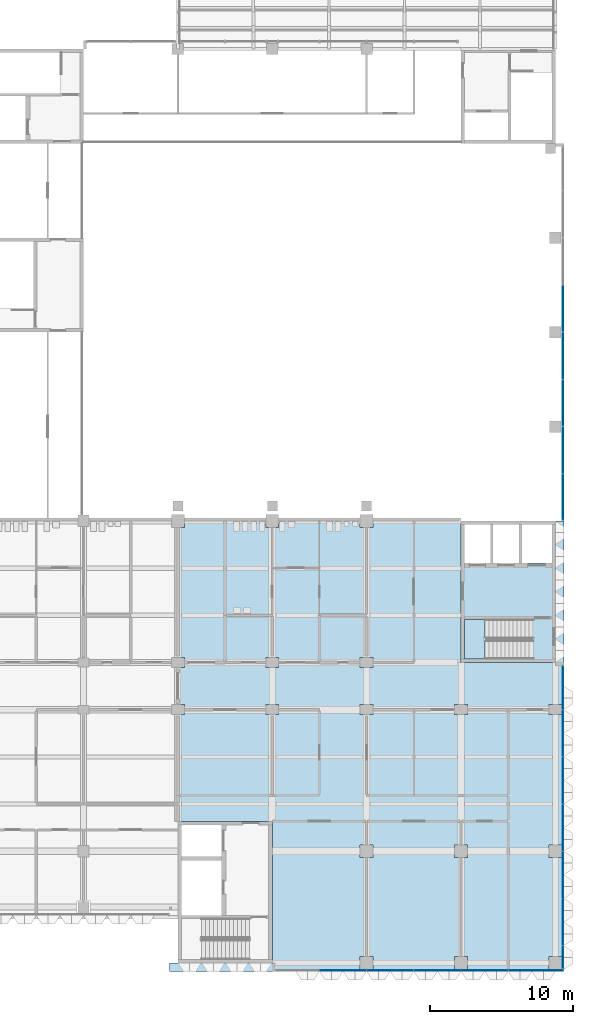
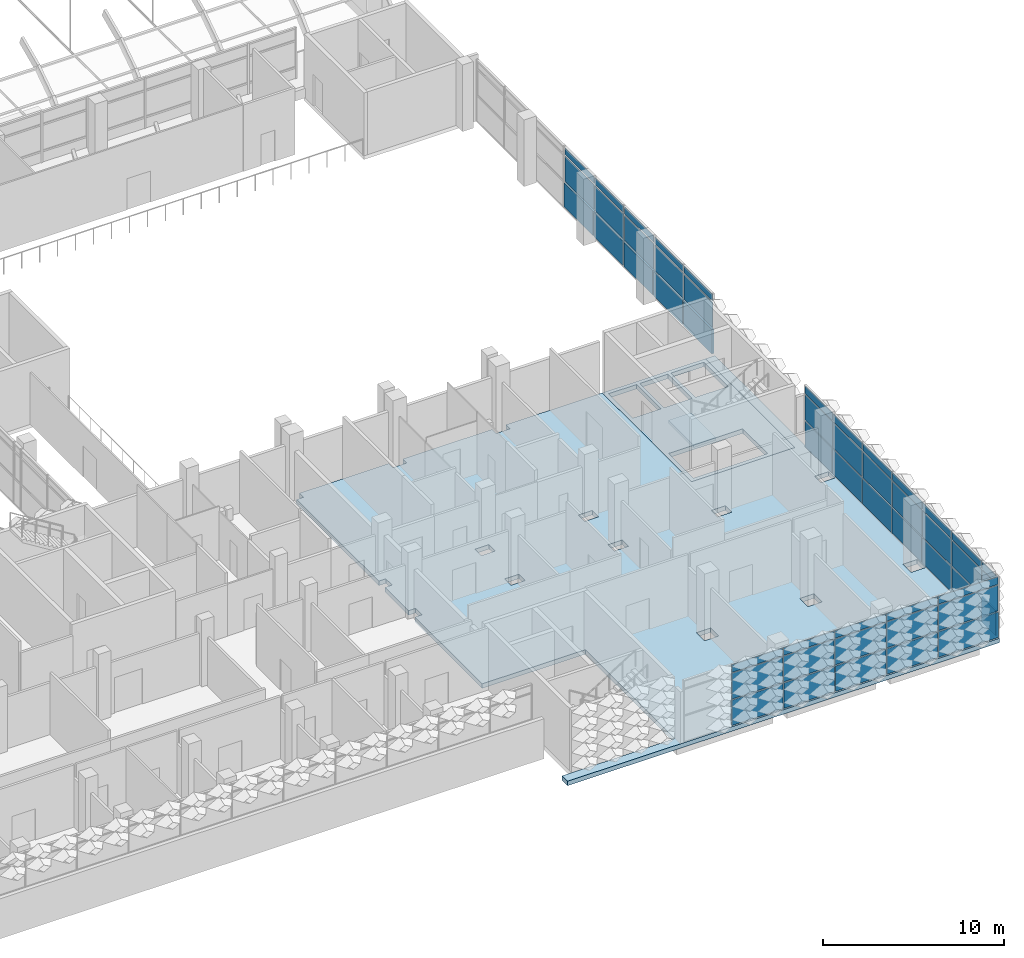
# One storey, part 36 of 102: 51 plates, 3 slabs, 4 elements without a shape of their own.
"""IFC4 building model written with IfcOpenShell, lengths in metres."""

from ifc_helpers import new_model, si_unit, direction, frame, origin, origin_2d, place, context, subcontext, project, spatial, polyline, rectangle, outline, extrude, material, layer, layer_set, type_object, element, aggregate, save


model = new_model("IFC4")

# Units and contexts
model_context = context("Model", 3, precision=1e-05, world=origin(), true_north=direction((0.0, 1.0)))
body_context = subcontext(model_context, "Body", "Model", "MODEL_VIEW")
ifc_project = project(units=[si_unit("LENGTHUNIT", "METRE"), si_unit("AREAUNIT", "SQUARE_METRE"), si_unit("VOLUMEUNIT", "CUBIC_METRE"), si_unit("PLANEANGLEUNIT", "RADIAN"), si_unit("MASSUNIT", "GRAM", prefix="KILO")], contexts=[model_context])

# Site, building, storey
site_placement = place(None, origin())
site = spatial("IfcSite", under=ifc_project, at=site_placement, CompositionType="ELEMENT")
building_placement = place(site_placement, origin())
building = spatial("IfcBuilding", under=site, at=building_placement, Name="Lantern Court Research Institute", CompositionType="ELEMENT")
storey_placement = place(building_placement, frame((0.0, 0.0, 9.89990234375)))
storey = spatial("IfcBuildingStorey", under=building, at=storey_placement, Name="L02", CompositionType="ELEMENT", Elevation=9.89990234375)

# Curtain wall, plates
ifc_material_1 = material(Name="Aluminium alloy 6063-T6", Category="aluminium")
curtain_wall_type_1 = type_object("IfcCurtainWallType", Name="Curtain wall 26200 x 4200 x 150 aluminium frame", PredefinedType="NOTDEFINED", material=ifc_material_1)
curtain_wall_1_placement = place(storey_placement, origin())
curtain_wall_1 = element("IfcCurtainWall", 1, at=curtain_wall_1_placement, inside=storey, type_object=curtain_wall_type_1, Name="Curtain wall CW034", PredefinedType="NOTDEFINED")
ifc_material_2 = material(Name="Fire-resisting insulated aluminium spandrel panel", Category="aluminium")
ifc_layer_1 = layer(ifc_material_2, 0.1201171875)
ifc_layer_set_1 = layer_set([ifc_layer_1], Name="Fire-resisting insulated aluminium spandrel panel")
plate_type_1 = type_object("IfcPlateType", Name="Fire-resisting spandrel panel 120 mm", PredefinedType="CURTAIN_PANEL", material=ifc_layer_set_1)
plate_1_placement = place(storey_placement, frame((79.72509765625, 24.77490234375, 0.10009765625), z_axis=(0.0, 0.0, 1.0), x_axis=(0.0, -1.0, 0.0)))
plate_1 = element("IfcPlate", 2, at=plate_1_placement, type_object=plate_type_1, Name="CW034 spandrel panel 1.1", PredefinedType="CURTAIN_PANEL", context=body_context, shape_type="SweptSolid", body=[
    extrude(rectangle(XDim=3.14990234375, YDim=0.1201171875, at=origin_2d()), origin(), (0.0, 0.0, 1.0), 1.64990234375),
])
plate_2_placement = place(storey_placement, frame((79.72509765625, 28.050048828125, 0.10009765625), z_axis=(0.0, 0.0, 1.0), x_axis=(0.0, -1.0, 0.0)))
plate_2 = element("IfcPlate", 3, at=plate_2_placement, type_object=plate_type_1, Name="CW034 spandrel panel 2.1", PredefinedType="CURTAIN_PANEL", context=body_context, shape_type="SweptSolid", body=[
    extrude(rectangle(XDim=3.199951171875, YDim=0.1201171875, at=origin_2d()), origin(), (0.0, 0.0, 1.0), 1.64990234375),
])
plate_3_placement = place(storey_placement, frame((79.72509765625, 31.35009765625, 0.10009765625), z_axis=(0.0, 0.0, 1.0), x_axis=(0.0, -1.0, 0.0)))
plate_3 = element("IfcPlate", 4, at=plate_3_placement, type_object=plate_type_1, Name="CW034 spandrel panel 3.1", PredefinedType="CURTAIN_PANEL", context=body_context, shape_type="SweptSolid", body=[
    extrude(rectangle(XDim=3.199951171875, YDim=0.1201171875, at=origin_2d()), origin(), (0.0, 0.0, 1.0), 1.64990234375),
])
plate_4_placement = place(storey_placement, frame((79.72509765625, 34.64990234375, 0.10009765625), z_axis=(0.0, 0.0, 1.0), x_axis=(0.0, -1.0, 0.0)))
plate_4 = element("IfcPlate", 5, at=plate_4_placement, type_object=plate_type_1, Name="CW034 spandrel panel 4.1", PredefinedType="CURTAIN_PANEL", context=body_context, shape_type="SweptSolid", body=[
    extrude(rectangle(XDim=3.199951171875, YDim=0.1201171875, at=origin_2d()), origin(), (0.0, 0.0, 1.0), 1.64990234375),
])
plate_5_placement = place(storey_placement, frame((79.72509765625, 37.949951171875, 0.10009765625), z_axis=(0.0, 0.0, 1.0), x_axis=(0.0, -1.0, 0.0)))
plate_5 = element("IfcPlate", 6, at=plate_5_placement, type_object=plate_type_1, Name="CW034 spandrel panel 5.1", PredefinedType="CURTAIN_PANEL", context=body_context, shape_type="SweptSolid", body=[
    extrude(rectangle(XDim=3.199951171875, YDim=0.1201171875, at=origin_2d()), origin(), (0.0, 0.0, 1.0), 1.64990234375),
])

ifc_material_3 = material(Name="Aluminium alloy 6063-T6", Category="aluminium")
curtain_wall_type_2 = type_object("IfcCurtainWallType", Name="Curtain wall 20200 x 4200 x 150 aluminium frame", PredefinedType="NOTDEFINED", material=ifc_material_3)
curtain_wall_2_placement = place(storey_placement, origin())
curtain_wall_2 = element("IfcCurtainWall", 7, at=curtain_wall_2_placement, inside=storey, type_object=curtain_wall_type_2, Name="Curtain wall CW044", PredefinedType="NOTDEFINED")
ifc_material_4 = material(Name="Insulated aluminium spandrel panel", Category="aluminium")
ifc_layer_2 = layer(ifc_material_4, 0.10009765625)
ifc_layer_set_2 = layer_set([ifc_layer_2], Name="Insulated aluminium spandrel panel")
plate_type_2 = type_object("IfcPlateType", Name="Insulated spandrel panel 100 mm for south sun", PredefinedType="CURTAIN_PANEL", material=ifc_layer_set_2)
plate_6_placement = place(storey_placement, frame((64.35009765625, -8.324951171875, 0.06005859375), z_axis=(0.0, 0.0, 1.0), x_axis=(-1.0, 0.0, 0.0)))
plate_6 = element("IfcPlate", 8, at=plate_6_placement, type_object=plate_type_2, Name="CW044 spandrel panel 2.1", PredefinedType="CURTAIN_PANEL", context=body_context, shape_type="SweptSolid", body=[
    extrude(rectangle(XDim=3.239990234375, YDim=0.10009765625, at=origin_2d()), origin(), (0.0, 0.0, 1.0), 1.7099609375),
])
plate_7_placement = place(storey_placement, frame((67.64990234375, -8.324951171875, 0.06005859375), z_axis=(0.0, 0.0, 1.0), x_axis=(-1.0, 0.0, 0.0)))
plate_7 = element("IfcPlate", 9, at=plate_7_placement, type_object=plate_type_2, Name="CW044 spandrel panel 3.1", PredefinedType="CURTAIN_PANEL", context=body_context, shape_type="SweptSolid", body=[
    extrude(rectangle(XDim=3.239990234375, YDim=0.10009765625, at=origin_2d()), origin(), (0.0, 0.0, 1.0), 1.7099609375),
])
plate_8_placement = place(storey_placement, frame((70.949951171875, -8.324951171875, 0.06005859375), z_axis=(0.0, 0.0, 1.0), x_axis=(-1.0, 0.0, 0.0)))
plate_8 = element("IfcPlate", 10, at=plate_8_placement, type_object=plate_type_2, Name="CW044 spandrel panel 4.1", PredefinedType="CURTAIN_PANEL", context=body_context, shape_type="SweptSolid", body=[
    extrude(rectangle(XDim=3.239990234375, YDim=0.10009765625, at=origin_2d()), origin(), (0.0, 0.0, 1.0), 1.7099609375),
])
plate_9_placement = place(storey_placement, frame((74.25, -8.324951171875, 0.06005859375), z_axis=(0.0, 0.0, 1.0), x_axis=(-1.0, 0.0, 0.0)))
plate_9 = element("IfcPlate", 11, at=plate_9_placement, type_object=plate_type_2, Name="CW044 spandrel panel 5.1", PredefinedType="CURTAIN_PANEL", context=body_context, shape_type="SweptSolid", body=[
    extrude(rectangle(XDim=3.239990234375, YDim=0.10009765625, at=origin_2d()), origin(), (0.0, 0.0, 1.0), 1.7099609375),
])
plate_10_placement = place(storey_placement, frame((77.8349609375, -8.324951171875, 0.06005859375), z_axis=(0.0, 0.0, 1.0), x_axis=(-1.0, 0.0, 0.0)))
plate_10 = element("IfcPlate", 12, at=plate_10_placement, type_object=plate_type_2, Name="CW044 spandrel panel 6.1", PredefinedType="CURTAIN_PANEL", context=body_context, shape_type="SweptSolid", body=[
    extrude(rectangle(XDim=3.81005859375, YDim=0.10009765625, at=origin_2d()), origin(), (0.0, 0.0, 1.0), 1.7099609375),
])

ifc_material_5 = material(Name="Aluminium alloy 6063-T6", Category="aluminium")
curtain_wall_type_3 = type_object("IfcCurtainWallType", Name="Curtain wall 21250 x 4200 x 150 aluminium frame", PredefinedType="NOTDEFINED", material=ifc_material_5)
curtain_wall_3_placement = place(storey_placement, origin())
curtain_wall_3 = element("IfcCurtainWall", 13, at=curtain_wall_3_placement, inside=storey, type_object=curtain_wall_type_3, Name="Curtain wall CW043", PredefinedType="NOTDEFINED")
ifc_material_6 = material(Name="Insulated aluminium spandrel panel", Category="aluminium")
ifc_layer_3 = layer(ifc_material_6, 0.080078125)
ifc_layer_set_3 = layer_set([ifc_layer_3], Name="Insulated aluminium spandrel panel")
plate_type_3 = type_object("IfcPlateType", Name="Insulated spandrel panel 80 mm", PredefinedType="CURTAIN_PANEL", material=ifc_layer_set_3)
plate_11_placement = place(storey_placement, frame((79.72509765625, -7.409912109375, 0.06005859375), z_axis=(0.0, 0.0, 1.0), x_axis=(0.0, -1.0, 0.0)))
plate_11 = element("IfcPlate", 14, at=plate_11_placement, type_object=plate_type_3, Name="CW043 spandrel panel 1.1", PredefinedType="CURTAIN_PANEL", context=body_context, shape_type="SweptSolid", body=[
    extrude(rectangle(XDim=1.56005859375, YDim=0.080078125, at=origin_2d()), origin(), (0.0, 0.0, 1.0), 1.7099609375),
])
plate_12_placement = place(storey_placement, frame((79.72509765625, -4.949951171875, 0.06005859375), z_axis=(0.0, 0.0, 1.0), x_axis=(0.0, -1.0, 0.0)))
plate_12 = element("IfcPlate", 15, at=plate_12_placement, type_object=plate_type_3, Name="CW043 spandrel panel 2.1", PredefinedType="CURTAIN_PANEL", context=body_context, shape_type="SweptSolid", body=[
    extrude(rectangle(XDim=3.239990234375, YDim=0.080078125, at=origin_2d()), origin(), (0.0, 0.0, 1.0), 1.7099609375),
])
plate_13_placement = place(storey_placement, frame((79.72509765625, -1.64990234375, 0.06005859375), z_axis=(0.0, 0.0, 1.0), x_axis=(0.0, -1.0, 0.0)))
plate_13 = element("IfcPlate", 16, at=plate_13_placement, type_object=plate_type_3, Name="CW043 spandrel panel 3.1", PredefinedType="CURTAIN_PANEL", context=body_context, shape_type="SweptSolid", body=[
    extrude(rectangle(XDim=3.239990234375, YDim=0.080078125, at=origin_2d()), origin(), (0.0, 0.0, 1.0), 1.7099609375),
])
plate_14_placement = place(storey_placement, frame((79.72509765625, 1.64990234375, 0.06005859375), z_axis=(0.0, 0.0, 1.0), x_axis=(0.0, -1.0, 0.0)))
plate_14 = element("IfcPlate", 17, at=plate_14_placement, type_object=plate_type_3, Name="CW043 spandrel panel 4.1", PredefinedType="CURTAIN_PANEL", context=body_context, shape_type="SweptSolid", body=[
    extrude(rectangle(XDim=3.239990234375, YDim=0.080078125, at=origin_2d()), origin(), (0.0, 0.0, 1.0), 1.7099609375),
])
plate_15_placement = place(storey_placement, frame((79.72509765625, 4.949951171875, 0.06005859375), z_axis=(0.0, 0.0, 1.0), x_axis=(0.0, -1.0, 0.0)))
plate_15 = element("IfcPlate", 18, at=plate_15_placement, type_object=plate_type_3, Name="CW043 spandrel panel 5.1", PredefinedType="CURTAIN_PANEL", context=body_context, shape_type="SweptSolid", body=[
    extrude(rectangle(XDim=3.239990234375, YDim=0.080078125, at=origin_2d()), origin(), (0.0, 0.0, 1.0), 1.7099609375),
])
plate_16_placement = place(storey_placement, frame((79.72509765625, 8.25, 0.06005859375), z_axis=(0.0, 0.0, 1.0), x_axis=(0.0, -1.0, 0.0)))
plate_16 = element("IfcPlate", 19, at=plate_16_placement, type_object=plate_type_3, Name="CW043 spandrel panel 6.1", PredefinedType="CURTAIN_PANEL", context=body_context, shape_type="SweptSolid", body=[
    extrude(rectangle(XDim=3.239990234375, YDim=0.080078125, at=origin_2d()), origin(), (0.0, 0.0, 1.0), 1.7099609375),
])
plate_17_placement = place(storey_placement, frame((79.72509765625, 11.43505859375, 0.06005859375), z_axis=(0.0, 0.0, 1.0), x_axis=(0.0, -1.0, 0.0)))
plate_17 = element("IfcPlate", 20, at=plate_17_placement, type_object=plate_type_3, Name="CW043 spandrel panel 7.1", PredefinedType="CURTAIN_PANEL", context=body_context, shape_type="SweptSolid", body=[
    extrude(rectangle(XDim=3.010009765625, YDim=0.080078125, at=origin_2d()), origin(), (0.0, 0.0, 1.0), 1.7099609375),
])

# Plate
ifc_material_7 = material(Name="Laminated low-emissivity glass", Category="glass")
ifc_layer_4 = layer(ifc_material_7, 0.028076171875)
ifc_layer_set_4 = layer_set([ifc_layer_4], Name="Laminated low-emissivity glass")
plate_type_4 = type_object("IfcPlateType", Name="Laminated low-emissivity unit 28 mm", PredefinedType="CURTAIN_PANEL", material=ifc_layer_set_4)
plate_18_placement = place(storey_placement, frame((79.72509765625, 24.77490234375, 1.85009765625), z_axis=(0.0, 0.0, 1.0), x_axis=(0.0, -1.0, 0.0)))
plate_18 = element("IfcPlate", 21, at=plate_18_placement, type_object=plate_type_4, Name="CW034 glazed panel 1.2", PredefinedType="CURTAIN_PANEL", context=body_context, shape_type="SweptSolid", body=[
    extrude(rectangle(XDim=3.14990234375, YDim=0.028076171875, at=origin_2d()), origin(), (0.0, 0.0, 1.0), 1.699951171875),
])

plate_19_placement = place(storey_placement, frame((79.72509765625, 24.77490234375, 3.64990234375), z_axis=(0.0, 0.0, 1.0), x_axis=(0.0, -1.0, 0.0)))
plate_19 = element("IfcPlate", 22, at=plate_19_placement, type_object=plate_type_4, Name="CW034 glazed panel 1.3", PredefinedType="CURTAIN_PANEL", context=body_context, shape_type="SweptSolid", body=[
    extrude(rectangle(XDim=3.14990234375, YDim=0.028076171875, at=origin_2d()), origin(), (0.0, 0.0, 1.0), 0.449951171875),
])

plate_20_placement = place(storey_placement, frame((79.72509765625, 28.050048828125, 1.85009765625), z_axis=(0.0, 0.0, 1.0), x_axis=(0.0, -1.0, 0.0)))
plate_20 = element("IfcPlate", 23, at=plate_20_placement, type_object=plate_type_4, Name="CW034 glazed panel 2.2", PredefinedType="CURTAIN_PANEL", context=body_context, shape_type="SweptSolid", body=[
    extrude(rectangle(XDim=3.199951171875, YDim=0.028076171875, at=origin_2d()), origin(), (0.0, 0.0, 1.0), 1.699951171875),
])

plate_21_placement = place(storey_placement, frame((79.72509765625, 28.050048828125, 3.64990234375), z_axis=(0.0, 0.0, 1.0), x_axis=(0.0, -1.0, 0.0)))
plate_21 = element("IfcPlate", 24, at=plate_21_placement, type_object=plate_type_4, Name="CW034 glazed panel 2.3", PredefinedType="CURTAIN_PANEL", context=body_context, shape_type="SweptSolid", body=[
    extrude(rectangle(XDim=3.199951171875, YDim=0.028076171875, at=origin_2d()), origin(), (0.0, 0.0, 1.0), 0.449951171875),
])

plate_22_placement = place(storey_placement, frame((79.72509765625, 31.35009765625, 1.85009765625), z_axis=(0.0, 0.0, 1.0), x_axis=(0.0, -1.0, 0.0)))
plate_22 = element("IfcPlate", 25, at=plate_22_placement, type_object=plate_type_4, Name="CW034 glazed panel 3.2", PredefinedType="CURTAIN_PANEL", context=body_context, shape_type="SweptSolid", body=[
    extrude(rectangle(XDim=3.199951171875, YDim=0.028076171875, at=origin_2d()), origin(), (0.0, 0.0, 1.0), 1.699951171875),
])

plate_23_placement = place(storey_placement, frame((79.72509765625, 31.35009765625, 3.64990234375), z_axis=(0.0, 0.0, 1.0), x_axis=(0.0, -1.0, 0.0)))
plate_23 = element("IfcPlate", 26, at=plate_23_placement, type_object=plate_type_4, Name="CW034 glazed panel 3.3", PredefinedType="CURTAIN_PANEL", context=body_context, shape_type="SweptSolid", body=[
    extrude(rectangle(XDim=3.199951171875, YDim=0.028076171875, at=origin_2d()), origin(), (0.0, 0.0, 1.0), 0.449951171875),
])

plate_24_placement = place(storey_placement, frame((79.72509765625, 34.64990234375, 1.85009765625), z_axis=(0.0, 0.0, 1.0), x_axis=(0.0, -1.0, 0.0)))
plate_24 = element("IfcPlate", 27, at=plate_24_placement, type_object=plate_type_4, Name="CW034 glazed panel 4.2", PredefinedType="CURTAIN_PANEL", context=body_context, shape_type="SweptSolid", body=[
    extrude(rectangle(XDim=3.199951171875, YDim=0.028076171875, at=origin_2d()), origin(), (0.0, 0.0, 1.0), 1.699951171875),
])

plate_25_placement = place(storey_placement, frame((79.72509765625, 34.64990234375, 3.64990234375), z_axis=(0.0, 0.0, 1.0), x_axis=(0.0, -1.0, 0.0)))
plate_25 = element("IfcPlate", 28, at=plate_25_placement, type_object=plate_type_4, Name="CW034 glazed panel 4.3", PredefinedType="CURTAIN_PANEL", context=body_context, shape_type="SweptSolid", body=[
    extrude(rectangle(XDim=3.199951171875, YDim=0.028076171875, at=origin_2d()), origin(), (0.0, 0.0, 1.0), 0.449951171875),
])

plate_26_placement = place(storey_placement, frame((79.72509765625, 37.949951171875, 1.85009765625), z_axis=(0.0, 0.0, 1.0), x_axis=(0.0, -1.0, 0.0)))
plate_26 = element("IfcPlate", 29, at=plate_26_placement, type_object=plate_type_4, Name="CW034 glazed panel 5.2", PredefinedType="CURTAIN_PANEL", context=body_context, shape_type="SweptSolid", body=[
    extrude(rectangle(XDim=3.199951171875, YDim=0.028076171875, at=origin_2d()), origin(), (0.0, 0.0, 1.0), 1.699951171875),
])

plate_27_placement = place(storey_placement, frame((79.72509765625, 37.949951171875, 3.64990234375), z_axis=(0.0, 0.0, 1.0), x_axis=(0.0, -1.0, 0.0)))
plate_27 = element("IfcPlate", 30, at=plate_27_placement, type_object=plate_type_4, Name="CW034 glazed panel 5.3", PredefinedType="CURTAIN_PANEL", context=body_context, shape_type="SweptSolid", body=[
    extrude(rectangle(XDim=3.199951171875, YDim=0.028076171875, at=origin_2d()), origin(), (0.0, 0.0, 1.0), 0.449951171875),
])

aggregate(curtain_wall_1, [plate_1, plate_18, plate_19, plate_2, plate_20, plate_21, plate_3, plate_22, plate_23, plate_4, plate_24, plate_25, plate_5, plate_26, plate_27])

# Slabs
ifc_material_8 = material(Name="Concrete C35/45", Category="concrete")
ifc_layer_5 = layer(ifc_material_8, 0.300048828125)
ifc_layer_set_5 = layer_set([ifc_layer_5], Name="Concrete C35/45")
slab_type_1 = type_object("IfcSlabType", Name="RC core floor slab 300", PredefinedType="FLOOR", material=ifc_layer_set_5)
slab_1_placement = place(storey_placement, frame((0.0, 0.0, -0.2998046875)))
element("IfcSlab", 31, at=slab_1_placement, inside=storey, type_object=slab_type_1, Name="Floor of core TC-E", PredefinedType="FLOOR", context=body_context, shape_type="SweptSolid", body=[
    extrude(outline(polyline([(72.60009765625, 13.199951171875), (79.199951171875, 13.199951171875), (79.199951171875, 23.10009765625), (72.60009765625, 23.10009765625), (72.60009765625, 13.199951171875)]), holes=[polyline([(77.60009765625, 16.199951171875), (72.85009765625, 16.199951171875), (72.85009765625, 13.449951171875), (77.60009765625, 13.449951171875), (77.60009765625, 16.199951171875)]), polyline([(72.85009765625, 20.14990234375), (74.64990234375, 20.14990234375), (74.64990234375, 22.85009765625), (72.85009765625, 22.85009765625), (72.85009765625, 20.14990234375)]), polyline([(74.85009765625, 20.14990234375), (76.64990234375, 20.14990234375), (76.64990234375, 22.85009765625), (74.85009765625, 22.85009765625), (74.85009765625, 20.14990234375)]), polyline([(76.85009765625, 20.14990234375), (78.949951171875, 20.14990234375), (78.949951171875, 22.85009765625), (76.85009765625, 22.85009765625), (76.85009765625, 20.14990234375)])]), origin(), (0.0, 0.0, 1.0), 0.2998046875),
])
ifc_material_9 = material(Name="Concrete C35/45", Category="concrete")
ifc_layer_6 = layer(ifc_material_9, 0.300048828125)
ifc_layer_set_6 = layer_set([ifc_layer_6], Name="Concrete C35/45")
slab_type_2 = type_object("IfcSlabType", Name="RC floor slab 300", PredefinedType="FLOOR", material=ifc_layer_set_6)
slab_2_placement = place(storey_placement, frame((0.0, 0.0, -0.2998046875)))
element("IfcSlab", 32, at=slab_2_placement, inside=storey, type_object=slab_type_2, Name="Floor slab L02 Dry Laboratory and Clean Room Tower", PredefinedType="FLOOR", context=body_context, shape_type="SweptSolid", body=[
    extrude(outline(polyline([(52.800048828125, -7.800048828125), (52.199951171875, -7.800048828125), (52.199951171875, -8.39990234375), (79.800048828125, -8.39990234375), (79.800048828125, -7.800048828125), (79.800048828125, 23.10009765625), (79.199951171875, 23.10009765625), (79.199951171875, 13.199951171875), (72.60009765625, 13.199951171875), (72.60009765625, 23.10009765625), (66.449951171875, 23.10009765625), (66.449951171875, 22.64990234375), (65.550048828125, 22.64990234375), (65.550048828125, 23.10009765625), (59.85009765625, 23.10009765625), (59.85009765625, 22.64990234375), (58.949951171875, 22.64990234375), (58.949951171875, 23.10009765625), (53.25, 23.10009765625), (53.25, 22.64990234375), (52.800048828125, 22.64990234375), (52.800048828125, 13.550048828125), (53.25, 13.550048828125), (53.25, 12.85009765625), (52.800048828125, 12.85009765625), (52.800048828125, 10.25), (53.25, 10.25), (53.25, 9.550048828125), (52.800048828125, 9.550048828125), (52.800048828125, 2.10009765625), (59.39990234375, 2.10009765625), (59.39990234375, -7.800048828125), (52.800048828125, -7.800048828125)]), holes=[polyline([(59.85009765625, 10.25), (59.85009765625, 9.550048828125), (58.949951171875, 9.550048828125), (58.949951171875, 10.25), (59.85009765625, 10.25)]), polyline([(59.85009765625, 13.550048828125), (59.85009765625, 12.85009765625), (58.949951171875, 12.85009765625), (58.949951171875, 13.550048828125), (59.85009765625, 13.550048828125)]), polyline([(65.550048828125, -7.35009765625), (66.449951171875, -7.35009765625), (66.449951171875, -8.25), (65.550048828125, -8.25), (65.550048828125, -7.35009765625)]), polyline([(73.050048828125, -7.35009765625), (73.050048828125, -8.25), (72.14990234375, -8.25), (72.14990234375, -7.35009765625), (73.050048828125, -7.35009765625)]), polyline([(79.64990234375, -7.35009765625), (79.64990234375, -8.25), (78.75, -8.25), (78.75, -7.35009765625), (79.64990234375, -7.35009765625)]), polyline([(66.449951171875, 0.449951171875), (66.449951171875, -0.449951171875), (65.550048828125, -0.449951171875), (65.550048828125, 0.449951171875), (66.449951171875, 0.449951171875)]), polyline([(73.050048828125, 0.449951171875), (73.050048828125, -0.449951171875), (72.14990234375, -0.449951171875), (72.14990234375, 0.449951171875), (73.050048828125, 0.449951171875)]), polyline([(79.64990234375, 0.449951171875), (79.64990234375, -0.449951171875), (78.75, -0.449951171875), (78.75, 0.449951171875), (79.64990234375, 0.449951171875)]), polyline([(66.449951171875, 10.25), (66.449951171875, 9.550048828125), (65.550048828125, 9.550048828125), (65.550048828125, 10.25), (66.449951171875, 10.25)]), polyline([(73.050048828125, 10.25), (73.050048828125, 9.550048828125), (72.14990234375, 9.550048828125), (72.14990234375, 10.25), (73.050048828125, 10.25)]), polyline([(79.64990234375, 10.25), (79.64990234375, 9.550048828125), (78.75, 9.550048828125), (78.75, 10.25), (79.64990234375, 10.25)]), polyline([(66.449951171875, 13.550048828125), (66.449951171875, 12.85009765625), (65.550048828125, 12.85009765625), (65.550048828125, 13.550048828125), (66.449951171875, 13.550048828125)])]), origin(), (0.0, 0.0, 1.0), 0.2998046875),
])

# Stair, slab
ifc_material_10 = material(Name="Concrete C40/50", Category="concrete")
stair_type = type_object("IfcStairType", Name="RC half-turn stair 1300 wide, 4500 rise, 6100 shaft", PredefinedType="HALF_TURN_STAIR", material=ifc_material_10)
stair_placement = place(storey_placement, origin())
stair = element("IfcStair", 33, at=stair_placement, inside=storey, type_object=stair_type, Name="L02 stair ST-T2", PredefinedType="HALF_TURN_STAIR")
ifc_material_11 = material(Name="Concrete C40/50", Category="concrete")
ifc_layer_7 = layer(ifc_material_11, 0.199951171875)
ifc_layer_set_7 = layer_set([ifc_layer_7], Name="Concrete C40/50")
slab_type_3 = type_object("IfcSlabType", Name="RC stair landing 200", PredefinedType="LANDING", material=ifc_layer_set_7)
slab_3_placement = place(storey_placement, frame((0.0, 0.0, 2.050048828125)))
slab_3 = element("IfcSlab", 34, at=slab_3_placement, type_object=slab_type_3, Name="ST-T2 landing 1", PredefinedType="LANDING", context=body_context, shape_type="SweptSolid", body=[
    extrude(outline(polyline([(74.2900390625, 16.199951171875), (72.85009765625, 16.199951171875), (72.85009765625, 13.449951171875), (74.2900390625, 13.449951171875), (74.2900390625, 16.199951171875)])), origin(), (0.0, 0.0, 1.0), 0.199951171875),
])
aggregate(stair, [slab_3])

# Plate
ifc_material_12 = material(Name="Laminated low-emissivity glass", Category="glass")
ifc_layer_8 = layer(ifc_material_12, 0.035888671875)
ifc_layer_set_8 = layer_set([ifc_layer_8], Name="Laminated low-emissivity glass")
plate_type_5 = type_object("IfcPlateType", Name="Solar control laminated unit 36 mm", PredefinedType="CURTAIN_PANEL", material=ifc_layer_set_8)
plate_28_placement = place(storey_placement, frame((79.72509765625, -7.409912109375, 1.830078125), z_axis=(0.0, 0.0, 1.0), x_axis=(0.0, -1.0, 0.0)))
plate_28 = element("IfcPlate", 35, at=plate_28_placement, type_object=plate_type_5, Name="CW043 glazed panel 1.2", PredefinedType="CURTAIN_PANEL", context=body_context, shape_type="SweptSolid", body=[
    extrude(rectangle(XDim=1.56005859375, YDim=0.035888671875, at=origin_2d()), origin(), (0.0, 0.0, 1.0), 1.739990234375),
])

plate_29_placement = place(storey_placement, frame((79.72509765625, -7.409912109375, 3.6298828125), z_axis=(0.0, 0.0, 1.0), x_axis=(0.0, -1.0, 0.0)))
plate_29 = element("IfcPlate", 36, at=plate_29_placement, type_object=plate_type_5, Name="CW043 glazed panel 1.3", PredefinedType="CURTAIN_PANEL", context=body_context, shape_type="SweptSolid", body=[
    extrude(rectangle(XDim=1.56005859375, YDim=0.035888671875, at=origin_2d()), origin(), (0.0, 0.0, 1.0), 0.510009765625),
])

plate_30_placement = place(storey_placement, frame((79.72509765625, -4.949951171875, 1.830078125), z_axis=(0.0, 0.0, 1.0), x_axis=(0.0, -1.0, 0.0)))
plate_30 = element("IfcPlate", 37, at=plate_30_placement, type_object=plate_type_5, Name="CW043 glazed panel 2.2", PredefinedType="CURTAIN_PANEL", context=body_context, shape_type="SweptSolid", body=[
    extrude(rectangle(XDim=3.239990234375, YDim=0.035888671875, at=origin_2d()), origin(), (0.0, 0.0, 1.0), 1.739990234375),
])

plate_31_placement = place(storey_placement, frame((79.72509765625, -4.949951171875, 3.6298828125), z_axis=(0.0, 0.0, 1.0), x_axis=(0.0, -1.0, 0.0)))
plate_31 = element("IfcPlate", 38, at=plate_31_placement, type_object=plate_type_5, Name="CW043 glazed panel 2.3", PredefinedType="CURTAIN_PANEL", context=body_context, shape_type="SweptSolid", body=[
    extrude(rectangle(XDim=3.239990234375, YDim=0.035888671875, at=origin_2d()), origin(), (0.0, 0.0, 1.0), 0.510009765625),
])

plate_32_placement = place(storey_placement, frame((79.72509765625, -1.64990234375, 1.830078125), z_axis=(0.0, 0.0, 1.0), x_axis=(0.0, -1.0, 0.0)))
plate_32 = element("IfcPlate", 39, at=plate_32_placement, type_object=plate_type_5, Name="CW043 glazed panel 3.2", PredefinedType="CURTAIN_PANEL", context=body_context, shape_type="SweptSolid", body=[
    extrude(rectangle(XDim=3.239990234375, YDim=0.035888671875, at=origin_2d()), origin(), (0.0, 0.0, 1.0), 1.739990234375),
])

plate_33_placement = place(storey_placement, frame((79.72509765625, -1.64990234375, 3.6298828125), z_axis=(0.0, 0.0, 1.0), x_axis=(0.0, -1.0, 0.0)))
plate_33 = element("IfcPlate", 40, at=plate_33_placement, type_object=plate_type_5, Name="CW043 glazed panel 3.3", PredefinedType="CURTAIN_PANEL", context=body_context, shape_type="SweptSolid", body=[
    extrude(rectangle(XDim=3.239990234375, YDim=0.035888671875, at=origin_2d()), origin(), (0.0, 0.0, 1.0), 0.510009765625),
])

plate_34_placement = place(storey_placement, frame((79.72509765625, 1.64990234375, 1.830078125), z_axis=(0.0, 0.0, 1.0), x_axis=(0.0, -1.0, 0.0)))
plate_34 = element("IfcPlate", 41, at=plate_34_placement, type_object=plate_type_5, Name="CW043 glazed panel 4.2", PredefinedType="CURTAIN_PANEL", context=body_context, shape_type="SweptSolid", body=[
    extrude(rectangle(XDim=3.239990234375, YDim=0.035888671875, at=origin_2d()), origin(), (0.0, 0.0, 1.0), 1.739990234375),
])

plate_35_placement = place(storey_placement, frame((79.72509765625, 1.64990234375, 3.6298828125), z_axis=(0.0, 0.0, 1.0), x_axis=(0.0, -1.0, 0.0)))
plate_35 = element("IfcPlate", 42, at=plate_35_placement, type_object=plate_type_5, Name="CW043 glazed panel 4.3", PredefinedType="CURTAIN_PANEL", context=body_context, shape_type="SweptSolid", body=[
    extrude(rectangle(XDim=3.239990234375, YDim=0.035888671875, at=origin_2d()), origin(), (0.0, 0.0, 1.0), 0.510009765625),
])

plate_36_placement = place(storey_placement, frame((79.72509765625, 4.949951171875, 1.830078125), z_axis=(0.0, 0.0, 1.0), x_axis=(0.0, -1.0, 0.0)))
plate_36 = element("IfcPlate", 43, at=plate_36_placement, type_object=plate_type_5, Name="CW043 glazed panel 5.2", PredefinedType="CURTAIN_PANEL", context=body_context, shape_type="SweptSolid", body=[
    extrude(rectangle(XDim=3.239990234375, YDim=0.035888671875, at=origin_2d()), origin(), (0.0, 0.0, 1.0), 1.739990234375),
])

plate_37_placement = place(storey_placement, frame((79.72509765625, 4.949951171875, 3.6298828125), z_axis=(0.0, 0.0, 1.0), x_axis=(0.0, -1.0, 0.0)))
plate_37 = element("IfcPlate", 44, at=plate_37_placement, type_object=plate_type_5, Name="CW043 glazed panel 5.3", PredefinedType="CURTAIN_PANEL", context=body_context, shape_type="SweptSolid", body=[
    extrude(rectangle(XDim=3.239990234375, YDim=0.035888671875, at=origin_2d()), origin(), (0.0, 0.0, 1.0), 0.510009765625),
])

plate_38_placement = place(storey_placement, frame((79.72509765625, 8.25, 1.830078125), z_axis=(0.0, 0.0, 1.0), x_axis=(0.0, -1.0, 0.0)))
plate_38 = element("IfcPlate", 45, at=plate_38_placement, type_object=plate_type_5, Name="CW043 glazed panel 6.2", PredefinedType="CURTAIN_PANEL", context=body_context, shape_type="SweptSolid", body=[
    extrude(rectangle(XDim=3.239990234375, YDim=0.035888671875, at=origin_2d()), origin(), (0.0, 0.0, 1.0), 1.739990234375),
])

plate_39_placement = place(storey_placement, frame((79.72509765625, 8.25, 3.6298828125), z_axis=(0.0, 0.0, 1.0), x_axis=(0.0, -1.0, 0.0)))
plate_39 = element("IfcPlate", 46, at=plate_39_placement, type_object=plate_type_5, Name="CW043 glazed panel 6.3", PredefinedType="CURTAIN_PANEL", context=body_context, shape_type="SweptSolid", body=[
    extrude(rectangle(XDim=3.239990234375, YDim=0.035888671875, at=origin_2d()), origin(), (0.0, 0.0, 1.0), 0.510009765625),
])

plate_40_placement = place(storey_placement, frame((79.72509765625, 11.43505859375, 1.830078125), z_axis=(0.0, 0.0, 1.0), x_axis=(0.0, -1.0, 0.0)))
plate_40 = element("IfcPlate", 47, at=plate_40_placement, type_object=plate_type_5, Name="CW043 glazed panel 7.2", PredefinedType="CURTAIN_PANEL", context=body_context, shape_type="SweptSolid", body=[
    extrude(rectangle(XDim=3.010009765625, YDim=0.035888671875, at=origin_2d()), origin(), (0.0, 0.0, 1.0), 1.739990234375),
])

plate_41_placement = place(storey_placement, frame((79.72509765625, 11.43505859375, 3.6298828125), z_axis=(0.0, 0.0, 1.0), x_axis=(0.0, -1.0, 0.0)))
plate_41 = element("IfcPlate", 48, at=plate_41_placement, type_object=plate_type_5, Name="CW043 glazed panel 7.3", PredefinedType="CURTAIN_PANEL", context=body_context, shape_type="SweptSolid", body=[
    extrude(rectangle(XDim=3.010009765625, YDim=0.035888671875, at=origin_2d()), origin(), (0.0, 0.0, 1.0), 0.510009765625),
])

aggregate(curtain_wall_3, [plate_11, plate_28, plate_29, plate_12, plate_30, plate_31, plate_13, plate_32, plate_33, plate_14, plate_34, plate_35, plate_15, plate_36, plate_37, plate_16, plate_38, plate_39, plate_17, plate_40, plate_41])

plate_42_placement = place(storey_placement, frame((64.35009765625, -8.324951171875, 1.830078125), z_axis=(0.0, 0.0, 1.0), x_axis=(-1.0, 0.0, 0.0)))
plate_42 = element("IfcPlate", 49, at=plate_42_placement, type_object=plate_type_5, Name="CW044 glazed panel 2.2", PredefinedType="CURTAIN_PANEL", context=body_context, shape_type="SweptSolid", body=[
    extrude(rectangle(XDim=3.239990234375, YDim=0.035888671875, at=origin_2d()), origin(), (0.0, 0.0, 1.0), 1.739990234375),
])

plate_43_placement = place(storey_placement, frame((64.35009765625, -8.324951171875, 3.6298828125), z_axis=(0.0, 0.0, 1.0), x_axis=(-1.0, 0.0, 0.0)))
plate_43 = element("IfcPlate", 50, at=plate_43_placement, type_object=plate_type_5, Name="CW044 glazed panel 2.3", PredefinedType="CURTAIN_PANEL", context=body_context, shape_type="SweptSolid", body=[
    extrude(rectangle(XDim=3.239990234375, YDim=0.035888671875, at=origin_2d()), origin(), (0.0, 0.0, 1.0), 0.510009765625),
])

plate_44_placement = place(storey_placement, frame((67.64990234375, -8.324951171875, 1.830078125), z_axis=(0.0, 0.0, 1.0), x_axis=(-1.0, 0.0, 0.0)))
plate_44 = element("IfcPlate", 51, at=plate_44_placement, type_object=plate_type_5, Name="CW044 glazed panel 3.2", PredefinedType="CURTAIN_PANEL", context=body_context, shape_type="SweptSolid", body=[
    extrude(rectangle(XDim=3.239990234375, YDim=0.035888671875, at=origin_2d()), origin(), (0.0, 0.0, 1.0), 1.739990234375),
])

plate_45_placement = place(storey_placement, frame((67.64990234375, -8.324951171875, 3.6298828125), z_axis=(0.0, 0.0, 1.0), x_axis=(-1.0, 0.0, 0.0)))
plate_45 = element("IfcPlate", 52, at=plate_45_placement, type_object=plate_type_5, Name="CW044 glazed panel 3.3", PredefinedType="CURTAIN_PANEL", context=body_context, shape_type="SweptSolid", body=[
    extrude(rectangle(XDim=3.239990234375, YDim=0.035888671875, at=origin_2d()), origin(), (0.0, 0.0, 1.0), 0.510009765625),
])

plate_46_placement = place(storey_placement, frame((70.949951171875, -8.324951171875, 1.830078125), z_axis=(0.0, 0.0, 1.0), x_axis=(-1.0, 0.0, 0.0)))
plate_46 = element("IfcPlate", 53, at=plate_46_placement, type_object=plate_type_5, Name="CW044 glazed panel 4.2", PredefinedType="CURTAIN_PANEL", context=body_context, shape_type="SweptSolid", body=[
    extrude(rectangle(XDim=3.239990234375, YDim=0.035888671875, at=origin_2d()), origin(), (0.0, 0.0, 1.0), 1.739990234375),
])

plate_47_placement = place(storey_placement, frame((70.949951171875, -8.324951171875, 3.6298828125), z_axis=(0.0, 0.0, 1.0), x_axis=(-1.0, 0.0, 0.0)))
plate_47 = element("IfcPlate", 54, at=plate_47_placement, type_object=plate_type_5, Name="CW044 glazed panel 4.3", PredefinedType="CURTAIN_PANEL", context=body_context, shape_type="SweptSolid", body=[
    extrude(rectangle(XDim=3.239990234375, YDim=0.035888671875, at=origin_2d()), origin(), (0.0, 0.0, 1.0), 0.510009765625),
])

plate_48_placement = place(storey_placement, frame((74.25, -8.324951171875, 1.830078125), z_axis=(0.0, 0.0, 1.0), x_axis=(-1.0, 0.0, 0.0)))
plate_48 = element("IfcPlate", 55, at=plate_48_placement, type_object=plate_type_5, Name="CW044 glazed panel 5.2", PredefinedType="CURTAIN_PANEL", context=body_context, shape_type="SweptSolid", body=[
    extrude(rectangle(XDim=3.239990234375, YDim=0.035888671875, at=origin_2d()), origin(), (0.0, 0.0, 1.0), 1.739990234375),
])

plate_49_placement = place(storey_placement, frame((74.25, -8.324951171875, 3.6298828125), z_axis=(0.0, 0.0, 1.0), x_axis=(-1.0, 0.0, 0.0)))
plate_49 = element("IfcPlate", 56, at=plate_49_placement, type_object=plate_type_5, Name="CW044 glazed panel 5.3", PredefinedType="CURTAIN_PANEL", context=body_context, shape_type="SweptSolid", body=[
    extrude(rectangle(XDim=3.239990234375, YDim=0.035888671875, at=origin_2d()), origin(), (0.0, 0.0, 1.0), 0.510009765625),
])

plate_50_placement = place(storey_placement, frame((77.8349609375, -8.324951171875, 1.830078125), z_axis=(0.0, 0.0, 1.0), x_axis=(-1.0, 0.0, 0.0)))
plate_50 = element("IfcPlate", 57, at=plate_50_placement, type_object=plate_type_5, Name="CW044 glazed panel 6.2", PredefinedType="CURTAIN_PANEL", context=body_context, shape_type="SweptSolid", body=[
    extrude(rectangle(XDim=3.81005859375, YDim=0.035888671875, at=origin_2d()), origin(), (0.0, 0.0, 1.0), 1.739990234375),
])

plate_51_placement = place(storey_placement, frame((77.8349609375, -8.324951171875, 3.6298828125), z_axis=(0.0, 0.0, 1.0), x_axis=(-1.0, 0.0, 0.0)))
plate_51 = element("IfcPlate", 58, at=plate_51_placement, type_object=plate_type_5, Name="CW044 glazed panel 6.3", PredefinedType="CURTAIN_PANEL", context=body_context, shape_type="SweptSolid", body=[
    extrude(rectangle(XDim=3.81005859375, YDim=0.035888671875, at=origin_2d()), origin(), (0.0, 0.0, 1.0), 0.510009765625),
])

aggregate(curtain_wall_2, [plate_6, plate_42, plate_43, plate_7, plate_44, plate_45, plate_8, plate_46, plate_47, plate_9, plate_48, plate_49, plate_10, plate_50, plate_51])

save(model, "model.ifc")
